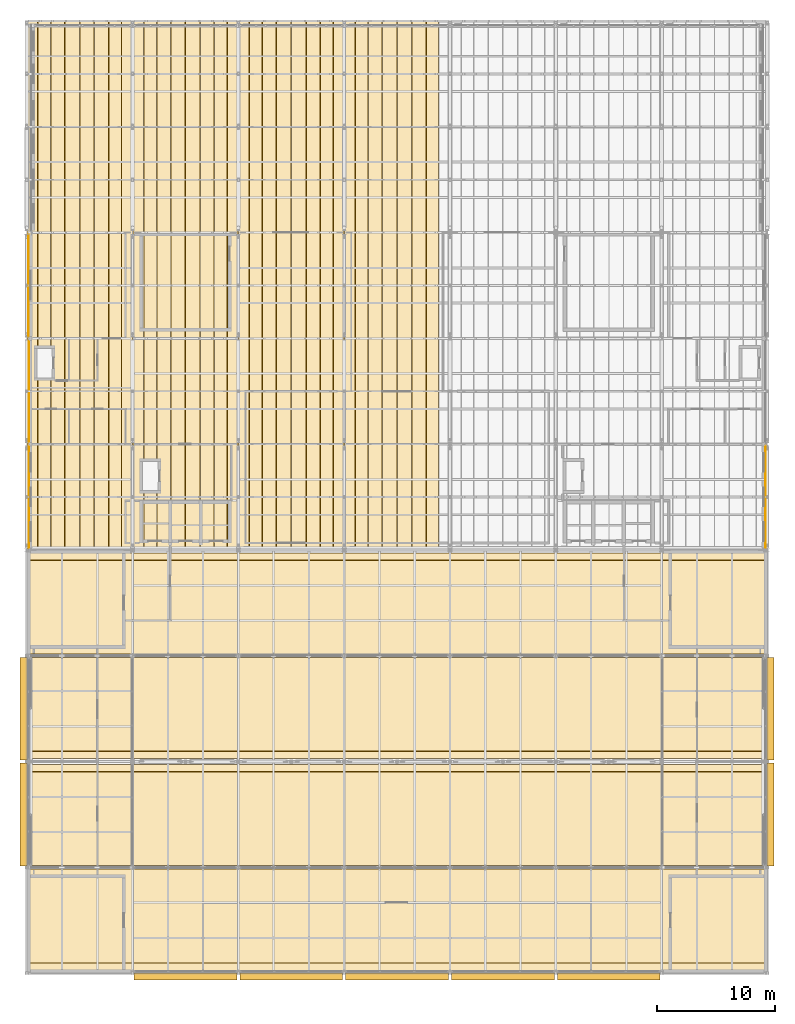
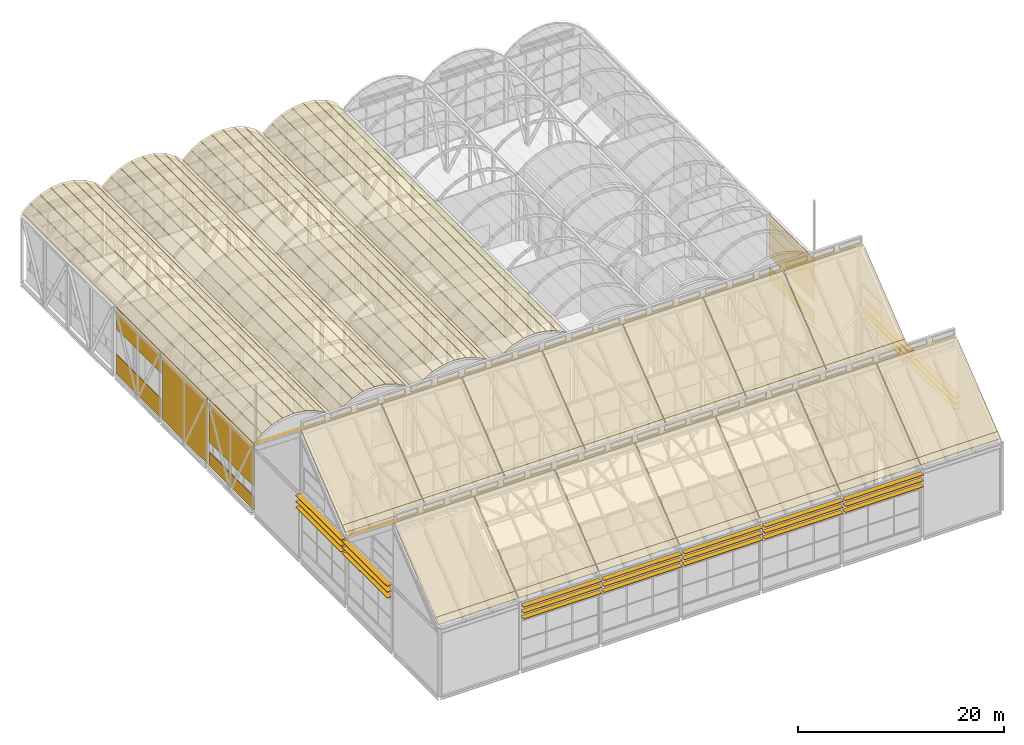
# One storey, part 143 of 144: 94 coverings, 27 shading devices.
"""IFC4 building model written with IfcOpenShell, lengths in metres."""

from ifc_helpers import new_model, si_unit, direction, frame, origin, origin_2d, place, context, subcontext, project, spatial, polyline, rectangle, outline, extrude, material, layer, layer_set, type_object, element, save


model = new_model("IFC4")

# Units and contexts
model_context = context("Model", 3, precision=1e-05, world=origin(), true_north=direction((0.0, 1.0)))
body_context = subcontext(model_context, "Body", "Model", "MODEL_VIEW")
ifc_project = project(units=[si_unit("LENGTHUNIT", "METRE"), si_unit("AREAUNIT", "SQUARE_METRE"), si_unit("VOLUMEUNIT", "CUBIC_METRE"), si_unit("PLANEANGLEUNIT", "RADIAN"), si_unit("MASSUNIT", "GRAM", prefix="KILO")], contexts=[model_context])

# Site, building, storey
site_placement = place(None, origin())
site = spatial("IfcSite", under=ifc_project, at=site_placement, CompositionType="ELEMENT")
building_placement = place(site_placement, origin())
building = spatial("IfcBuilding", under=site, at=building_placement, Name="Shorebreak Coast Museum", CompositionType="ELEMENT")
storey_placement = place(building_placement, frame((0.0, 0.0, 36.0)))
storey = spatial("IfcBuildingStorey", under=building, at=storey_placement, Name="L06", CompositionType="ELEMENT", Elevation=36.0)

# Shading devices
ifc_material_1 = material(Name="Aluminium", Category="aluminium")
ifc_layer_1 = layer(ifc_material_1, 0.06005859375)
ifc_layer_set_1 = layer_set([ifc_layer_1], Name="Aluminium")
shading_device_type = type_object("IfcShadingDeviceType", Name="Aluminium louvre blade 60 x 600", PredefinedType="USERDEFINED", material=ifc_layer_set_1)
for number, where, z_axis, x_axis, name in (
    (1, (117.27490234375, 67.5, 7.619873046875), (0.0, 0.0, 1.0), (1.0, 0.0, 0.0), "Aluminium louvre L06 E58"),
    (2, (117.27490234375, 67.5, 6.919921875), (0.0, 0.0, 1.0), (1.0, 0.0, 0.0), "Aluminium louvre L06 E59"),
    (3, (117.27490234375, 67.5, 6.219970703125), (0.0, 0.0, 1.0), (1.0, 0.0, 0.0), "Aluminium louvre L06 E60"),
    (4, (117.27490234375, 76.5, 7.619873046875), (0.0, 0.0, 1.0), (1.0, 0.0, 0.0), "Aluminium louvre L06 E61"),
    (5, (117.27490234375, 76.5, 6.919921875), (0.0, 0.0, 1.0), (1.0, 0.0, 0.0), "Aluminium louvre L06 E62"),
    (6, (117.27490234375, 76.5, 6.219970703125), (0.0, 0.0, 1.0), (1.0, 0.0, 0.0), "Aluminium louvre L06 E63"),
):
    element("IfcShadingDevice", number, at=place(storey_placement, frame(where, z_axis=z_axis, x_axis=x_axis)), inside=storey, type_object=shading_device_type, Name=name, ObjectType="LOUVRE", PredefinedType="USERDEFINED", context=body_context, shape_type="SweptSolid", body=[
        extrude(rectangle(XDim=0.60009765625, YDim=8.75, at=origin_2d()), origin(), (0.0, 0.0, 1.0), 0.06005859375),
    ])
for number, where, z_axis, x_axis, name in (
    (7, (67.5, 53.72509765625, 7.619873046875), (0.0, 0.0, 1.0), (1.0, 0.0, 0.0), "Aluminium louvre L06 S64"),
    (8, (67.5, 53.72509765625, 6.919921875), (0.0, 0.0, 1.0), (1.0, 0.0, 0.0), "Aluminium louvre L06 S65"),
    (9, (67.5, 53.72509765625, 6.219970703125), (0.0, 0.0, 1.0), (1.0, 0.0, 0.0), "Aluminium louvre L06 S66"),
    (10, (76.5, 53.72509765625, 7.619873046875), (0.0, 0.0, 1.0), (1.0, 0.0, 0.0), "Aluminium louvre L06 S67"),
    (11, (76.5, 53.72509765625, 6.919921875), (0.0, 0.0, 1.0), (1.0, 0.0, 0.0), "Aluminium louvre L06 S68"),
    (12, (76.5, 53.72509765625, 6.219970703125), (0.0, 0.0, 1.0), (1.0, 0.0, 0.0), "Aluminium louvre L06 S69"),
    (13, (85.5, 53.72509765625, 7.619873046875), (0.0, 0.0, 1.0), (1.0, 0.0, 0.0), "Aluminium louvre L06 S70"),
    (14, (85.5, 53.72509765625, 6.919921875), (0.0, 0.0, 1.0), (1.0, 0.0, 0.0), "Aluminium louvre L06 S71"),
    (15, (85.5, 53.72509765625, 6.219970703125), (0.0, 0.0, 1.0), (1.0, 0.0, 0.0), "Aluminium louvre L06 S72"),
    (16, (94.5, 53.72509765625, 7.619873046875), (0.0, 0.0, 1.0), (1.0, 0.0, 0.0), "Aluminium louvre L06 S73"),
    (17, (94.5, 53.72509765625, 6.919921875), (0.0, 0.0, 1.0), (1.0, 0.0, 0.0), "Aluminium louvre L06 S74"),
    (18, (94.5, 53.72509765625, 6.219970703125), (0.0, 0.0, 1.0), (1.0, 0.0, 0.0), "Aluminium louvre L06 S75"),
    (19, (103.5, 53.72509765625, 7.619873046875), (0.0, 0.0, 1.0), (1.0, 0.0, 0.0), "Aluminium louvre L06 S76"),
    (20, (103.5, 53.72509765625, 6.919921875), (0.0, 0.0, 1.0), (1.0, 0.0, 0.0), "Aluminium louvre L06 S77"),
    (21, (103.5, 53.72509765625, 6.219970703125), (0.0, 0.0, 1.0), (1.0, 0.0, 0.0), "Aluminium louvre L06 S78"),
):
    element("IfcShadingDevice", number, at=place(storey_placement, frame(where, z_axis=z_axis, x_axis=x_axis)), inside=storey, type_object=shading_device_type, Name=name, ObjectType="LOUVRE", PredefinedType="USERDEFINED", context=body_context, shape_type="SweptSolid", body=[
        extrude(rectangle(XDim=8.75, YDim=0.60009765625, at=origin_2d()), origin(), (0.0, 0.0, 1.0), 0.06005859375),
    ])
for number, where, z_axis, x_axis, name in (
    (22, (53.72509765625, 67.5, 7.619873046875), (0.0, 0.0, 1.0), (1.0, 0.0, 0.0), "Aluminium louvre L06 W79"),
    (23, (53.72509765625, 67.5, 6.919921875), (0.0, 0.0, 1.0), (1.0, 0.0, 0.0), "Aluminium louvre L06 W80"),
    (24, (53.72509765625, 67.5, 6.219970703125), (0.0, 0.0, 1.0), (1.0, 0.0, 0.0), "Aluminium louvre L06 W81"),
    (25, (53.72509765625, 76.5, 7.619873046875), (0.0, 0.0, 1.0), (1.0, 0.0, 0.0), "Aluminium louvre L06 W82"),
    (26, (53.72509765625, 76.5, 6.919921875), (0.0, 0.0, 1.0), (1.0, 0.0, 0.0), "Aluminium louvre L06 W83"),
    (27, (53.72509765625, 76.5, 6.219970703125), (0.0, 0.0, 1.0), (1.0, 0.0, 0.0), "Aluminium louvre L06 W84"),
):
    element("IfcShadingDevice", number, at=place(storey_placement, frame(where, z_axis=z_axis, x_axis=x_axis)), inside=storey, type_object=shading_device_type, Name=name, ObjectType="LOUVRE", PredefinedType="USERDEFINED", context=body_context, shape_type="SweptSolid", body=[
        extrude(rectangle(XDim=0.60009765625, YDim=8.75, at=origin_2d()), origin(), (0.0, 0.0, 1.0), 0.06005859375),
    ])

# Coverings
ifc_material_2 = material(Name="Aluminium", Category="aluminium")
ifc_layer_2 = layer(ifc_material_2, 0.06005859375)
ifc_layer_set_2 = layer_set([ifc_layer_2], Name="Aluminium")
covering_type_1 = type_object("IfcCoveringType", Name="Valley gutter lining 60", PredefinedType="MEMBRANE", material=ifc_layer_set_2)
for number, where, z_axis, x_axis, name in (
    (28, (54.050048828125, 54.25, 8.27685546875), (0.0, -0.624617554273, 0.780930797763), (1.0, 0.0, 0.0), "Valley gutter FOLD-X-P01"),
    (29, (63.050048828125, 54.25, 8.27685546875), (0.0, -0.624617554273, 0.780930797763), (1.0, 0.0, 0.0), "Valley gutter FOLD-X-P02"),
    (30, (72.050048828125, 54.25, 8.27685546875), (0.0, -0.624617554273, 0.780930797763), (1.0, 0.0, 0.0), "Valley gutter FOLD-X-P03"),
    (31, (81.050048828125, 54.25, 8.27685546875), (0.0, -0.624617554273, 0.780930797763), (1.0, 0.0, 0.0), "Valley gutter FOLD-X-P04"),
    (32, (90.050048828125, 54.25, 8.27685546875), (0.0, -0.624617554273, 0.780930797763), (1.0, 0.0, 0.0), "Valley gutter FOLD-X-P05"),
    (33, (99.050048828125, 54.25, 8.27685546875), (0.0, -0.624617554273, 0.780930797763), (1.0, 0.0, 0.0), "Valley gutter FOLD-X-P06"),
    (34, (108.050048828125, 54.25, 8.27685546875), (0.0, -0.624617554273, 0.780930797763), (1.0, 0.0, 0.0), "Valley gutter FOLD-X-P07"),
    (35, (54.050048828125, 71.14990234375, 8.7568359375), (0.0, 0.624617554273, 0.780930797763), (1.0, 0.0, 0.0), "Valley gutter FOLD-X-P08"),
    (36, (63.050048828125, 71.14990234375, 8.7568359375), (0.0, 0.624617554273, 0.780930797763), (1.0, 0.0, 0.0), "Valley gutter FOLD-X-P09"),
    (37, (72.050048828125, 71.14990234375, 8.7568359375), (0.0, 0.624617554273, 0.780930797763), (1.0, 0.0, 0.0), "Valley gutter FOLD-X-P10"),
    (38, (81.050048828125, 71.14990234375, 8.7568359375), (0.0, 0.624617554273, 0.780930797763), (1.0, 0.0, 0.0), "Valley gutter FOLD-X-P11"),
    (39, (90.050048828125, 71.14990234375, 8.7568359375), (0.0, 0.624617554273, 0.780930797763), (1.0, 0.0, 0.0), "Valley gutter FOLD-X-P12"),
    (40, (99.050048828125, 71.14990234375, 8.7568359375), (0.0, 0.624617554273, 0.780930797763), (1.0, 0.0, 0.0), "Valley gutter FOLD-X-P13"),
    (41, (108.050048828125, 71.14990234375, 8.7568359375), (0.0, 0.624617554273, 0.780930797763), (1.0, 0.0, 0.0), "Valley gutter FOLD-X-P14"),
    (42, (54.050048828125, 72.25, 8.27685546875), (0.0, -0.624617554273, 0.780930797763), (1.0, 0.0, 0.0), "Valley gutter FOLD-X-P15"),
    (43, (63.050048828125, 72.25, 8.27685546875), (0.0, -0.624617554273, 0.780930797763), (1.0, 0.0, 0.0), "Valley gutter FOLD-X-P16"),
    (44, (72.050048828125, 72.25, 8.27685546875), (0.0, -0.624617554273, 0.780930797763), (1.0, 0.0, 0.0), "Valley gutter FOLD-X-P17"),
    (45, (81.050048828125, 72.25, 8.27685546875), (0.0, -0.624617554273, 0.780930797763), (1.0, 0.0, 0.0), "Valley gutter FOLD-X-P18"),
    (46, (90.050048828125, 72.25, 8.27685546875), (0.0, -0.624617554273, 0.780930797763), (1.0, 0.0, 0.0), "Valley gutter FOLD-X-P19"),
    (47, (99.050048828125, 72.25, 8.27685546875), (0.0, -0.624617554273, 0.780930797763), (1.0, 0.0, 0.0), "Valley gutter FOLD-X-P20"),
    (48, (108.050048828125, 72.25, 8.27685546875), (0.0, -0.624617554273, 0.780930797763), (1.0, 0.0, 0.0), "Valley gutter FOLD-X-P21"),
    (49, (54.050048828125, 89.14990234375, 8.7568359375), (0.0, 0.624617554273, 0.780930797763), (1.0, 0.0, 0.0), "Valley gutter FOLD-X-P22"),
    (50, (63.050048828125, 89.14990234375, 8.7568359375), (0.0, 0.624617554273, 0.780930797763), (1.0, 0.0, 0.0), "Valley gutter FOLD-X-P23"),
    (51, (72.050048828125, 89.14990234375, 8.7568359375), (0.0, 0.624617554273, 0.780930797763), (1.0, 0.0, 0.0), "Valley gutter FOLD-X-P24"),
    (52, (81.050048828125, 89.14990234375, 8.7568359375), (0.0, 0.624617554273, 0.780930797763), (1.0, 0.0, 0.0), "Valley gutter FOLD-X-P25"),
    (53, (90.050048828125, 89.14990234375, 8.7568359375), (0.0, 0.624617554273, 0.780930797763), (1.0, 0.0, 0.0), "Valley gutter FOLD-X-P26"),
    (54, (99.050048828125, 89.14990234375, 8.7568359375), (0.0, 0.624617554273, 0.780930797763), (1.0, 0.0, 0.0), "Valley gutter FOLD-X-P27"),
    (55, (108.050048828125, 89.14990234375, 8.7568359375), (0.0, 0.624617554273, 0.780930797763), (1.0, 0.0, 0.0), "Valley gutter FOLD-X-P28"),
):
    element("IfcCovering", number, at=place(storey_placement, frame(where, z_axis=z_axis, x_axis=x_axis)), inside=storey, type_object=covering_type_1, Name=name, PredefinedType="MEMBRANE", context=body_context, shape_type="SweptSolid", body=[
        extrude(outline(polyline([(0.0, 0.0), (8.89990234375, 0.0), (8.89990234375, 0.768438967920168), (0.0, 0.768438967920168), (0.0, 0.0)])), origin(), (0.0, 0.0, -1.0), 0.06005859375),
    ])
ifc_material_3 = material(Name="Zinc")
ifc_layer_3 = layer(ifc_material_3, 0.0400390625)
ifc_layer_set_3 = layer_set([ifc_layer_3], Name="Zinc")
covering_type_2 = type_object("IfcCoveringType", Name="Zinc standing-seam cladding 40", PredefinedType="CLADDING", material=ifc_layer_set_3)
covering_1_placement = place(storey_placement, frame((54.02001953125, 90.0, 8.07177734375), z_axis=(-0.668318843385, 0.0, 0.74387493813), x_axis=(0.74387493813, 0.0, 0.668318843385)))
element("IfcCovering", 56, at=covering_1_placement, inside=storey, type_object=covering_type_2, Name="Vault cladding V1-F1", PredefinedType="CLADDING", context=body_context, shape_type="SweptSolid", body=[
    extrude(outline(polyline([(0.0, 0.0), (1.2117187195020975, 0.0), (1.2117187195020975, 45.0), (0.0, 45.0), (0.0, 0.0)])), origin(), (0.0, 0.0, -1.0), 0.0400390625),
])
covering_2_placement = place(storey_placement, frame((54.96142578125, 90.0, 8.9033203125), z_axis=(-0.49936995657, 0.0, 0.866388854081), x_axis=(0.866388854081, 0.0, 0.49936995657)))
element("IfcCovering", 57, at=covering_2_placement, inside=storey, type_object=covering_type_2, Name="Vault cladding V1-F2", PredefinedType="CLADDING", context=body_context, shape_type="SweptSolid", body=[
    extrude(outline(polyline([(0.0, 0.0), (1.2193098738507784, 0.0), (1.2193098738507784, 45.0), (0.0, 45.0), (0.0, 0.0)])), origin(), (0.0, 0.0, -1.0), 0.0400390625),
])
covering_3_placement = place(storey_placement, frame((56.057861328125, 90.0, 9.52587890625), z_axis=(-0.308734068724, 0.0, 0.95114839789), x_axis=(0.95114839789, 0.0, 0.308734068724)))
element("IfcCovering", 58, at=covering_3_placement, inside=storey, type_object=covering_type_2, Name="Vault cladding V1-F3", PredefinedType="CLADDING", context=body_context, shape_type="SweptSolid", body=[
    extrude(outline(polyline([(0.0, 0.0), (1.2233361495753898, 0.0), (1.2233361495753898, 45.0), (0.0, 45.0), (0.0, 0.0)])), origin(), (0.0, 0.0, -1.0), 0.0400390625),
])
for number, where, z_axis, x_axis, name in (
    (59, (57.261474609375, 90.0, 9.910400390625), (-0.104217990818, 0.0, 0.994554478342), (0.994554478342, 0.0, 0.104217990818), "Vault cladding V1-F4"),
    (60, (58.52001953125, 90.0, 10.0380859375), (0.104217990818, 0.0, 0.994554478342), (0.994554478342, 0.0, -0.104217990818), "Vault cladding V1-F5"),
):
    element("IfcCovering", number, at=place(storey_placement, frame(where, z_axis=z_axis, x_axis=x_axis)), inside=storey, type_object=covering_type_2, Name=name, PredefinedType="CLADDING", context=body_context, shape_type="SweptSolid", body=[
        extrude(outline(polyline([(0.0, 0.0), (1.225177590479019, 0.0), (1.225177590479019, 45.0), (0.0, 45.0), (0.0, 0.0)])), origin(), (0.0, 0.0, -1.0), 0.0400390625),
    ])
covering_4_placement = place(storey_placement, frame((59.778564453125, 90.0, 9.903564453125), z_axis=(0.308734068724, 0.0, 0.95114839789), x_axis=(0.95114839789, 0.0, -0.308734068724)))
element("IfcCovering", 61, at=covering_4_placement, inside=storey, type_object=covering_type_2, Name="Vault cladding V1-F6", PredefinedType="CLADDING", context=body_context, shape_type="SweptSolid", body=[
    extrude(outline(polyline([(0.0, 0.0), (1.2233361495753898, 0.0), (1.2233361495753898, 45.0), (0.0, 45.0), (0.0, 0.0)])), origin(), (0.0, 0.0, -1.0), 0.0400390625),
])
covering_5_placement = place(storey_placement, frame((60.982177734375, 90.0, 9.51220703125), z_axis=(0.49936995657, 0.0, 0.866388854081), x_axis=(0.866388854081, 0.0, -0.49936995657)))
element("IfcCovering", 62, at=covering_5_placement, inside=storey, type_object=covering_type_2, Name="Vault cladding V1-F7", PredefinedType="CLADDING", context=body_context, shape_type="SweptSolid", body=[
    extrude(outline(polyline([(0.0, 0.0), (1.2193098738507784, 0.0), (1.2193098738507784, 45.0), (0.0, 45.0), (0.0, 0.0)])), origin(), (0.0, 0.0, -1.0), 0.0400390625),
])
for number, where, z_axis, x_axis, name in (
    (63, (62.07861328125, 90.0, 8.881591796875), (0.668318843385, 0.0, 0.74387493813), (0.74387493813, 0.0, -0.668318843385), "Vault cladding V1-F8"),
    (64, (63.02001953125, 90.0, 8.07177734375), (-0.668318843385, 0.0, 0.74387493813), (0.74387493813, 0.0, 0.668318843385), "Vault cladding V2-F1"),
):
    element("IfcCovering", number, at=place(storey_placement, frame(where, z_axis=z_axis, x_axis=x_axis)), inside=storey, type_object=covering_type_2, Name=name, PredefinedType="CLADDING", context=body_context, shape_type="SweptSolid", body=[
        extrude(outline(polyline([(0.0, 0.0), (1.2117187195020975, 0.0), (1.2117187195020975, 45.0), (0.0, 45.0), (0.0, 0.0)])), origin(), (0.0, 0.0, -1.0), 0.0400390625),
    ])
covering_6_placement = place(storey_placement, frame((63.96142578125, 90.0, 8.9033203125), z_axis=(-0.49936995657, 0.0, 0.866388854081), x_axis=(0.866388854081, 0.0, 0.49936995657)))
element("IfcCovering", 65, at=covering_6_placement, inside=storey, type_object=covering_type_2, Name="Vault cladding V2-F2", PredefinedType="CLADDING", context=body_context, shape_type="SweptSolid", body=[
    extrude(outline(polyline([(0.0, 0.0), (1.2193098738507784, 0.0), (1.2193098738507784, 45.0), (0.0, 45.0), (0.0, 0.0)])), origin(), (0.0, 0.0, -1.0), 0.0400390625),
])
covering_7_placement = place(storey_placement, frame((65.057861328125, 90.0, 9.52587890625), z_axis=(-0.308734068724, 0.0, 0.95114839789), x_axis=(0.95114839789, 0.0, 0.308734068724)))
element("IfcCovering", 66, at=covering_7_placement, inside=storey, type_object=covering_type_2, Name="Vault cladding V2-F3", PredefinedType="CLADDING", context=body_context, shape_type="SweptSolid", body=[
    extrude(outline(polyline([(0.0, 0.0), (1.2233361495753898, 0.0), (1.2233361495753898, 45.0), (0.0, 45.0), (0.0, 0.0)])), origin(), (0.0, 0.0, -1.0), 0.0400390625),
])
for number, where, z_axis, x_axis, name in (
    (67, (66.261474609375, 90.0, 9.910400390625), (-0.104217990818, 0.0, 0.994554478342), (0.994554478342, 0.0, 0.104217990818), "Vault cladding V2-F4"),
    (68, (67.52001953125, 90.0, 10.0380859375), (0.104217990818, 0.0, 0.994554478342), (0.994554478342, 0.0, -0.104217990818), "Vault cladding V2-F5"),
):
    element("IfcCovering", number, at=place(storey_placement, frame(where, z_axis=z_axis, x_axis=x_axis)), inside=storey, type_object=covering_type_2, Name=name, PredefinedType="CLADDING", context=body_context, shape_type="SweptSolid", body=[
        extrude(outline(polyline([(0.0, 0.0), (1.225177590479019, 0.0), (1.225177590479019, 45.0), (0.0, 45.0), (0.0, 0.0)])), origin(), (0.0, 0.0, -1.0), 0.0400390625),
    ])
covering_8_placement = place(storey_placement, frame((68.778564453125, 90.0, 9.903564453125), z_axis=(0.308734068724, 0.0, 0.95114839789), x_axis=(0.95114839789, 0.0, -0.308734068724)))
element("IfcCovering", 69, at=covering_8_placement, inside=storey, type_object=covering_type_2, Name="Vault cladding V2-F6", PredefinedType="CLADDING", context=body_context, shape_type="SweptSolid", body=[
    extrude(outline(polyline([(0.0, 0.0), (1.2233361495753898, 0.0), (1.2233361495753898, 45.0), (0.0, 45.0), (0.0, 0.0)])), origin(), (0.0, 0.0, -1.0), 0.0400390625),
])
covering_9_placement = place(storey_placement, frame((69.982177734375, 90.0, 9.51220703125), z_axis=(0.49936995657, 0.0, 0.866388854081), x_axis=(0.866388854081, 0.0, -0.49936995657)))
element("IfcCovering", 70, at=covering_9_placement, inside=storey, type_object=covering_type_2, Name="Vault cladding V2-F7", PredefinedType="CLADDING", context=body_context, shape_type="SweptSolid", body=[
    extrude(outline(polyline([(0.0, 0.0), (1.2193098738507784, 0.0), (1.2193098738507784, 45.0), (0.0, 45.0), (0.0, 0.0)])), origin(), (0.0, 0.0, -1.0), 0.0400390625),
])
for number, where, z_axis, x_axis, name in (
    (71, (71.07861328125, 90.0, 8.881591796875), (0.668318843385, 0.0, 0.74387493813), (0.74387493813, 0.0, -0.668318843385), "Vault cladding V2-F8"),
    (72, (72.02001953125, 90.0, 8.07177734375), (-0.668318843385, 0.0, 0.74387493813), (0.74387493813, 0.0, 0.668318843385), "Vault cladding V3-F1"),
):
    element("IfcCovering", number, at=place(storey_placement, frame(where, z_axis=z_axis, x_axis=x_axis)), inside=storey, type_object=covering_type_2, Name=name, PredefinedType="CLADDING", context=body_context, shape_type="SweptSolid", body=[
        extrude(outline(polyline([(0.0, 0.0), (1.2117187195020975, 0.0), (1.2117187195020975, 45.0), (0.0, 45.0), (0.0, 0.0)])), origin(), (0.0, 0.0, -1.0), 0.0400390625),
    ])
covering_10_placement = place(storey_placement, frame((72.96142578125, 90.0, 8.9033203125), z_axis=(-0.49936995657, 0.0, 0.866388854081), x_axis=(0.866388854081, 0.0, 0.49936995657)))
element("IfcCovering", 73, at=covering_10_placement, inside=storey, type_object=covering_type_2, Name="Vault cladding V3-F2", PredefinedType="CLADDING", context=body_context, shape_type="SweptSolid", body=[
    extrude(outline(polyline([(0.0, 0.0), (1.2193098738507784, 0.0), (1.2193098738507784, 45.0), (0.0, 45.0), (0.0, 0.0)])), origin(), (0.0, 0.0, -1.0), 0.0400390625),
])
covering_11_placement = place(storey_placement, frame((74.057861328125, 90.0, 9.52587890625), z_axis=(-0.308734068724, 0.0, 0.95114839789), x_axis=(0.95114839789, 0.0, 0.308734068724)))
element("IfcCovering", 74, at=covering_11_placement, inside=storey, type_object=covering_type_2, Name="Vault cladding V3-F3", PredefinedType="CLADDING", context=body_context, shape_type="SweptSolid", body=[
    extrude(outline(polyline([(0.0, 0.0), (1.2233361495753898, 0.0), (1.2233361495753898, 45.0), (0.0, 45.0), (0.0, 0.0)])), origin(), (0.0, 0.0, -1.0), 0.0400390625),
])
for number, where, z_axis, x_axis, name in (
    (75, (75.261474609375, 90.0, 9.910400390625), (-0.104217990818, 0.0, 0.994554478342), (0.994554478342, 0.0, 0.104217990818), "Vault cladding V3-F4"),
    (76, (76.52001953125, 90.0, 10.0380859375), (0.104217990818, 0.0, 0.994554478342), (0.994554478342, 0.0, -0.104217990818), "Vault cladding V3-F5"),
):
    element("IfcCovering", number, at=place(storey_placement, frame(where, z_axis=z_axis, x_axis=x_axis)), inside=storey, type_object=covering_type_2, Name=name, PredefinedType="CLADDING", context=body_context, shape_type="SweptSolid", body=[
        extrude(outline(polyline([(0.0, 0.0), (1.225177590479019, 0.0), (1.225177590479019, 45.0), (0.0, 45.0), (0.0, 0.0)])), origin(), (0.0, 0.0, -1.0), 0.0400390625),
    ])
covering_12_placement = place(storey_placement, frame((77.778564453125, 90.0, 9.903564453125), z_axis=(0.308734068724, 0.0, 0.95114839789), x_axis=(0.95114839789, 0.0, -0.308734068724)))
element("IfcCovering", 77, at=covering_12_placement, inside=storey, type_object=covering_type_2, Name="Vault cladding V3-F6", PredefinedType="CLADDING", context=body_context, shape_type="SweptSolid", body=[
    extrude(outline(polyline([(0.0, 0.0), (1.2233361495753898, 0.0), (1.2233361495753898, 45.0), (0.0, 45.0), (0.0, 0.0)])), origin(), (0.0, 0.0, -1.0), 0.0400390625),
])
covering_13_placement = place(storey_placement, frame((78.982177734375, 90.0, 9.51220703125), z_axis=(0.49936995657, 0.0, 0.866388854081), x_axis=(0.866388854081, 0.0, -0.49936995657)))
element("IfcCovering", 78, at=covering_13_placement, inside=storey, type_object=covering_type_2, Name="Vault cladding V3-F7", PredefinedType="CLADDING", context=body_context, shape_type="SweptSolid", body=[
    extrude(outline(polyline([(0.0, 0.0), (1.2193098738507784, 0.0), (1.2193098738507784, 45.0), (0.0, 45.0), (0.0, 0.0)])), origin(), (0.0, 0.0, -1.0), 0.0400390625),
])
for number, where, z_axis, x_axis, name in (
    (79, (80.07861328125, 90.0, 8.881591796875), (0.668318843385, 0.0, 0.74387493813), (0.74387493813, 0.0, -0.668318843385), "Vault cladding V3-F8"),
    (80, (81.02001953125, 90.0, 8.07177734375), (-0.668318843385, 0.0, 0.74387493813), (0.74387493813, 0.0, 0.668318843385), "Vault cladding V4-F1"),
):
    element("IfcCovering", number, at=place(storey_placement, frame(where, z_axis=z_axis, x_axis=x_axis)), inside=storey, type_object=covering_type_2, Name=name, PredefinedType="CLADDING", context=body_context, shape_type="SweptSolid", body=[
        extrude(outline(polyline([(0.0, 0.0), (1.2117187195020975, 0.0), (1.2117187195020975, 45.0), (0.0, 45.0), (0.0, 0.0)])), origin(), (0.0, 0.0, -1.0), 0.0400390625),
    ])
covering_14_placement = place(storey_placement, frame((81.96142578125, 90.0, 8.9033203125), z_axis=(-0.49936995657, 0.0, 0.866388854081), x_axis=(0.866388854081, 0.0, 0.49936995657)))
element("IfcCovering", 81, at=covering_14_placement, inside=storey, type_object=covering_type_2, Name="Vault cladding V4-F2", PredefinedType="CLADDING", context=body_context, shape_type="SweptSolid", body=[
    extrude(outline(polyline([(0.0, 0.0), (1.2193098738507784, 0.0), (1.2193098738507784, 45.0), (0.0, 45.0), (0.0, 0.0)])), origin(), (0.0, 0.0, -1.0), 0.0400390625),
])
covering_15_placement = place(storey_placement, frame((83.057861328125, 90.0, 9.52587890625), z_axis=(-0.308734068724, 0.0, 0.95114839789), x_axis=(0.95114839789, 0.0, 0.308734068724)))
element("IfcCovering", 82, at=covering_15_placement, inside=storey, type_object=covering_type_2, Name="Vault cladding V4-F3", PredefinedType="CLADDING", context=body_context, shape_type="SweptSolid", body=[
    extrude(outline(polyline([(0.0, 0.0), (1.2233361495753898, 0.0), (1.2233361495753898, 45.0), (0.0, 45.0), (0.0, 0.0)])), origin(), (0.0, 0.0, -1.0), 0.0400390625),
])
for number, where, z_axis, x_axis, name in (
    (83, (84.261474609375, 90.0, 9.910400390625), (-0.104217990818, 0.0, 0.994554478342), (0.994554478342, 0.0, 0.104217990818), "Vault cladding V4-F4"),
    (84, (85.52001953125, 90.0, 10.0380859375), (0.104217990818, 0.0, 0.994554478342), (0.994554478342, 0.0, -0.104217990818), "Vault cladding V4-F5"),
):
    element("IfcCovering", number, at=place(storey_placement, frame(where, z_axis=z_axis, x_axis=x_axis)), inside=storey, type_object=covering_type_2, Name=name, PredefinedType="CLADDING", context=body_context, shape_type="SweptSolid", body=[
        extrude(outline(polyline([(0.0, 0.0), (1.225177590479019, 0.0), (1.225177590479019, 45.0), (0.0, 45.0), (0.0, 0.0)])), origin(), (0.0, 0.0, -1.0), 0.0400390625),
    ])
covering_16_placement = place(storey_placement, frame((86.778564453125, 90.0, 9.903564453125), z_axis=(0.308734068724, 0.0, 0.95114839789), x_axis=(0.95114839789, 0.0, -0.308734068724)))
element("IfcCovering", 85, at=covering_16_placement, inside=storey, type_object=covering_type_2, Name="Vault cladding V4-F6", PredefinedType="CLADDING", context=body_context, shape_type="SweptSolid", body=[
    extrude(outline(polyline([(0.0, 0.0), (1.2233361495753898, 0.0), (1.2233361495753898, 45.0), (0.0, 45.0), (0.0, 0.0)])), origin(), (0.0, 0.0, -1.0), 0.0400390625),
])
covering_17_placement = place(storey_placement, frame((87.982177734375, 90.0, 9.51220703125), z_axis=(0.49936995657, 0.0, 0.866388854081), x_axis=(0.866388854081, 0.0, -0.49936995657)))
element("IfcCovering", 86, at=covering_17_placement, inside=storey, type_object=covering_type_2, Name="Vault cladding V4-F7", PredefinedType="CLADDING", context=body_context, shape_type="SweptSolid", body=[
    extrude(outline(polyline([(0.0, 0.0), (1.2193098738507784, 0.0), (1.2193098738507784, 45.0), (0.0, 45.0), (0.0, 0.0)])), origin(), (0.0, 0.0, -1.0), 0.0400390625),
])
ifc_material_4 = material(Name="Aluminium", Category="aluminium")
ifc_layer_4 = layer(ifc_material_4, 0.0400390625)
ifc_layer_set_4 = layer_set([ifc_layer_4], Name="Aluminium")
covering_type_3 = type_object("IfcCoveringType", Name="Zinc standing-seam panel 40", PredefinedType="CLADDING", material=ifc_layer_set_4)
covering_18_placement = place(storey_placement, frame((116.826416015625, 94.518310546875, 0.0), z_axis=(0.0, 0.0, 1.0), x_axis=(1.0, 0.0, 0.0)))
element("IfcCovering", 87, at=covering_18_placement, inside=storey, type_object=covering_type_3, Name="Zinc cladding L06 E11", PredefinedType="CLADDING", context=body_context, shape_type="SweptSolid", body=[
    extrude(rectangle(XDim=0.0400390625, YDim=8.70947265625, at=origin_2d()), origin(), (0.0, 0.0, 1.0), 1.60009765625),
])
covering_19_placement = place(storey_placement, frame((116.826416015625, 94.518310546875, 2.800048828125), z_axis=(0.0, 0.0, 1.0), x_axis=(1.0, 0.0, 0.0)))
element("IfcCovering", 88, at=covering_19_placement, inside=storey, type_object=covering_type_3, Name="Zinc cladding L06 E12", PredefinedType="CLADDING", context=body_context, shape_type="SweptSolid", body=[
    extrude(rectangle(XDim=0.0400390625, YDim=8.70947265625, at=origin_2d()), origin(), (0.0, 0.0, 1.0), 5.0),
])
covering_20_placement = place(storey_placement, frame((54.173583984375, 94.518310546875, 0.0), z_axis=(0.0, 0.0, 1.0), x_axis=(1.0, 0.0, 0.0)))
element("IfcCovering", 89, at=covering_20_placement, inside=storey, type_object=covering_type_3, Name="Zinc cladding L06 W16", PredefinedType="CLADDING", context=body_context, shape_type="SweptSolid", body=[
    extrude(rectangle(XDim=0.0400390625, YDim=8.70947265625, at=origin_2d()), origin(), (0.0, 0.0, 1.0), 1.60009765625),
])
covering_21_placement = place(storey_placement, frame((54.173583984375, 94.518310546875, 2.800048828125), z_axis=(0.0, 0.0, 1.0), x_axis=(1.0, 0.0, 0.0)))
element("IfcCovering", 90, at=covering_21_placement, inside=storey, type_object=covering_type_3, Name="Zinc cladding L06 W17", PredefinedType="CLADDING", context=body_context, shape_type="SweptSolid", body=[
    extrude(rectangle(XDim=0.0400390625, YDim=8.70947265625, at=origin_2d()), origin(), (0.0, 0.0, 1.0), 5.0),
])
covering_22_placement = place(storey_placement, frame((54.173583984375, 103.5, 0.0), z_axis=(0.0, 0.0, 1.0), x_axis=(1.0, 0.0, 0.0)))
element("IfcCovering", 91, at=covering_22_placement, inside=storey, type_object=covering_type_3, Name="Zinc cladding L06 W18", PredefinedType="CLADDING", context=body_context, shape_type="SweptSolid", body=[
    extrude(rectangle(XDim=0.0400390625, YDim=8.74609375, at=origin_2d()), origin(), (0.0, 0.0, 1.0), 7.800048828125),
])
covering_23_placement = place(storey_placement, frame((54.148681640625, 112.481689453125, 0.0), z_axis=(0.0, 0.0, 1.0), x_axis=(1.0, 0.0, 0.0)))
element("IfcCovering", 92, at=covering_23_placement, inside=storey, type_object=covering_type_3, Name="Zinc cladding L06 W19", PredefinedType="CLADDING", context=body_context, shape_type="SweptSolid", body=[
    extrude(rectangle(XDim=0.0400390625, YDim=8.70947265625, at=origin_2d()), origin(), (0.0, 0.0, 1.0), 2.300048828125),
])
covering_24_placement = place(storey_placement, frame((54.148681640625, 112.481689453125, 5.300048828125), z_axis=(0.0, 0.0, 1.0), x_axis=(1.0, 0.0, 0.0)))
element("IfcCovering", 93, at=covering_24_placement, inside=storey, type_object=covering_type_3, Name="Zinc cladding L06 W20", PredefinedType="CLADDING", context=body_context, shape_type="SweptSolid", body=[
    extrude(rectangle(XDim=0.0400390625, YDim=8.70947265625, at=origin_2d()), origin(), (0.0, 0.0, 1.0), 2.5),
])
ifc_material_5 = material(Name="Zinc")
ifc_layer_5 = layer(ifc_material_5, 0.0400390625)
ifc_layer_set_5 = layer_set([ifc_layer_5], Name="Zinc")
covering_type_4 = type_object("IfcCoveringType", Name="Zinc standing-seam roofing 40", PredefinedType="ROOFING", material=ifc_layer_set_5)
for number, where, z_axis, x_axis, name in (
    (94, (54.050048828125, 54.85009765625, 8.731201171875), (0.0, -0.624689235253, 0.780873459249), (1.0, 0.0, 0.0), "Roofing FOLD-X-P01"),
    (95, (63.050048828125, 54.85009765625, 8.731201171875), (0.0, -0.624689235253, 0.780873459249), (1.0, 0.0, 0.0), "Roofing FOLD-X-P02"),
    (96, (72.050048828125, 54.85009765625, 8.731201171875), (0.0, -0.624689235253, 0.780873459249), (1.0, 0.0, 0.0), "Roofing FOLD-X-P03"),
    (97, (81.050048828125, 54.85009765625, 8.731201171875), (0.0, -0.624689235253, 0.780873459249), (1.0, 0.0, 0.0), "Roofing FOLD-X-P04"),
    (98, (90.050048828125, 54.85009765625, 8.731201171875), (0.0, -0.624689235253, 0.780873459249), (1.0, 0.0, 0.0), "Roofing FOLD-X-P05"),
    (99, (99.050048828125, 54.85009765625, 8.731201171875), (0.0, -0.624689235253, 0.780873459249), (1.0, 0.0, 0.0), "Roofing FOLD-X-P06"),
    (100, (108.050048828125, 54.85009765625, 8.731201171875), (0.0, -0.624689235253, 0.780873459249), (1.0, 0.0, 0.0), "Roofing FOLD-X-P07"),
    (101, (54.050048828125, 63.14990234375, 15.131103515625), (0.0, 0.624689235253, 0.780873459249), (1.0, 0.0, 0.0), "Roofing FOLD-X-P08"),
    (102, (63.050048828125, 63.14990234375, 15.131103515625), (0.0, 0.624689235253, 0.780873459249), (1.0, 0.0, 0.0), "Roofing FOLD-X-P09"),
    (103, (72.050048828125, 63.14990234375, 15.131103515625), (0.0, 0.624689235253, 0.780873459249), (1.0, 0.0, 0.0), "Roofing FOLD-X-P10"),
    (104, (81.050048828125, 63.14990234375, 15.131103515625), (0.0, 0.624689235253, 0.780873459249), (1.0, 0.0, 0.0), "Roofing FOLD-X-P11"),
    (105, (90.050048828125, 63.14990234375, 15.131103515625), (0.0, 0.624689235253, 0.780873459249), (1.0, 0.0, 0.0), "Roofing FOLD-X-P12"),
    (106, (99.050048828125, 63.14990234375, 15.131103515625), (0.0, 0.624689235253, 0.780873459249), (1.0, 0.0, 0.0), "Roofing FOLD-X-P13"),
    (107, (108.050048828125, 63.14990234375, 15.131103515625), (0.0, 0.624689235253, 0.780873459249), (1.0, 0.0, 0.0), "Roofing FOLD-X-P14"),
    (108, (54.050048828125, 72.85009765625, 8.731201171875), (0.0, -0.624689235253, 0.780873459249), (1.0, 0.0, 0.0), "Roofing FOLD-X-P15"),
    (109, (63.050048828125, 72.85009765625, 8.731201171875), (0.0, -0.624689235253, 0.780873459249), (1.0, 0.0, 0.0), "Roofing FOLD-X-P16"),
    (110, (72.050048828125, 72.85009765625, 8.731201171875), (0.0, -0.624689235253, 0.780873459249), (1.0, 0.0, 0.0), "Roofing FOLD-X-P17"),
    (111, (81.050048828125, 72.85009765625, 8.731201171875), (0.0, -0.624689235253, 0.780873459249), (1.0, 0.0, 0.0), "Roofing FOLD-X-P18"),
    (112, (90.050048828125, 72.85009765625, 8.731201171875), (0.0, -0.624689235253, 0.780873459249), (1.0, 0.0, 0.0), "Roofing FOLD-X-P19"),
    (113, (99.050048828125, 72.85009765625, 8.731201171875), (0.0, -0.624689235253, 0.780873459249), (1.0, 0.0, 0.0), "Roofing FOLD-X-P20"),
    (114, (108.050048828125, 72.85009765625, 8.731201171875), (0.0, -0.624689235253, 0.780873459249), (1.0, 0.0, 0.0), "Roofing FOLD-X-P21"),
    (115, (54.050048828125, 81.14990234375, 15.131103515625), (0.0, 0.624689235253, 0.780873459249), (1.0, 0.0, 0.0), "Roofing FOLD-X-P22"),
    (116, (63.050048828125, 81.14990234375, 15.131103515625), (0.0, 0.624689235253, 0.780873459249), (1.0, 0.0, 0.0), "Roofing FOLD-X-P23"),
    (117, (72.050048828125, 81.14990234375, 15.131103515625), (0.0, 0.624689235253, 0.780873459249), (1.0, 0.0, 0.0), "Roofing FOLD-X-P24"),
    (118, (81.050048828125, 81.14990234375, 15.131103515625), (0.0, 0.624689235253, 0.780873459249), (1.0, 0.0, 0.0), "Roofing FOLD-X-P25"),
    (119, (90.050048828125, 81.14990234375, 15.131103515625), (0.0, 0.624689235253, 0.780873459249), (1.0, 0.0, 0.0), "Roofing FOLD-X-P26"),
    (120, (99.050048828125, 81.14990234375, 15.131103515625), (0.0, 0.624689235253, 0.780873459249), (1.0, 0.0, 0.0), "Roofing FOLD-X-P27"),
    (121, (108.050048828125, 81.14990234375, 15.131103515625), (0.0, 0.624689235253, 0.780873459249), (1.0, 0.0, 0.0), "Roofing FOLD-X-P28"),
):
    element("IfcCovering", number, at=place(storey_placement, frame(where, z_axis=z_axis, x_axis=x_axis)), inside=storey, type_object=covering_type_4, Name=name, PredefinedType="ROOFING", context=body_context, shape_type="SweptSolid", body=[
        extrude(outline(polyline([(0.0, 0.0), (8.89990234375, 0.0), (8.89990234375, 10.244937774800622), (0.0, 10.244937774800622), (0.0, 0.0)])), origin(), (0.0, 0.0, -1.0), 0.0400390625),
    ])

save(model, "model.ifc")
